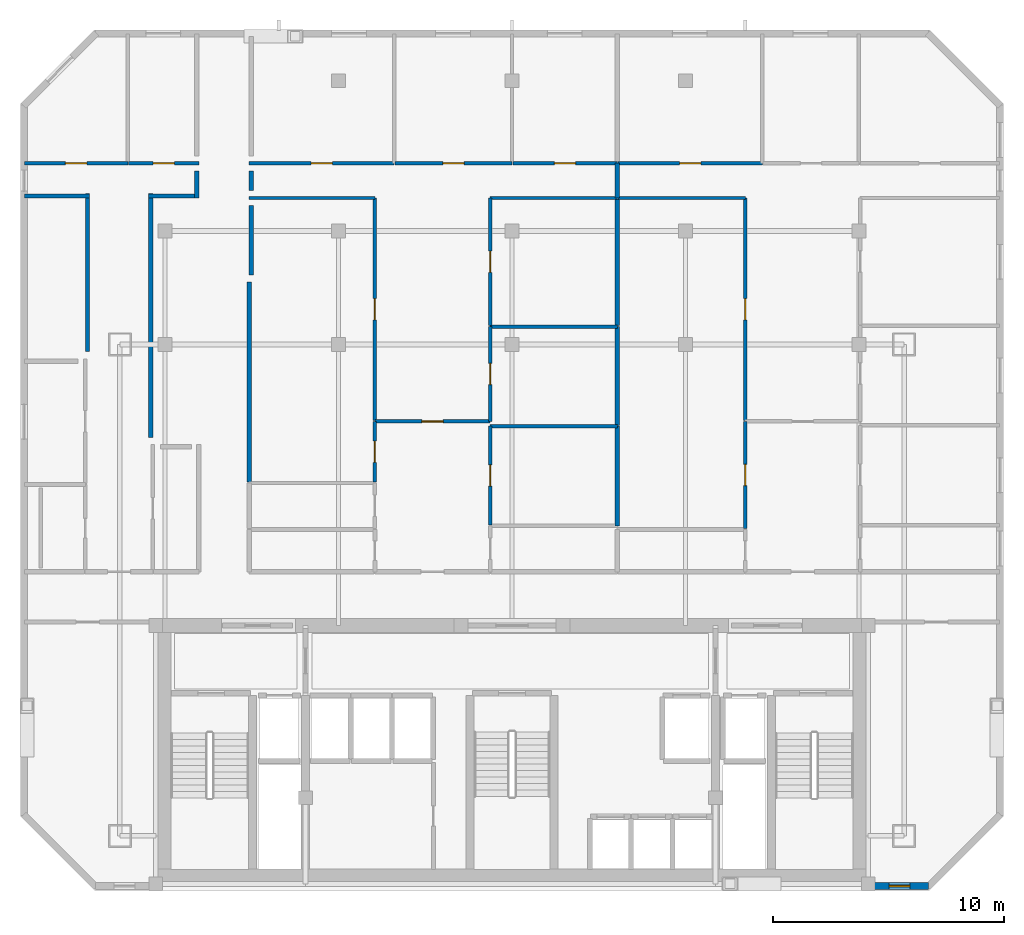
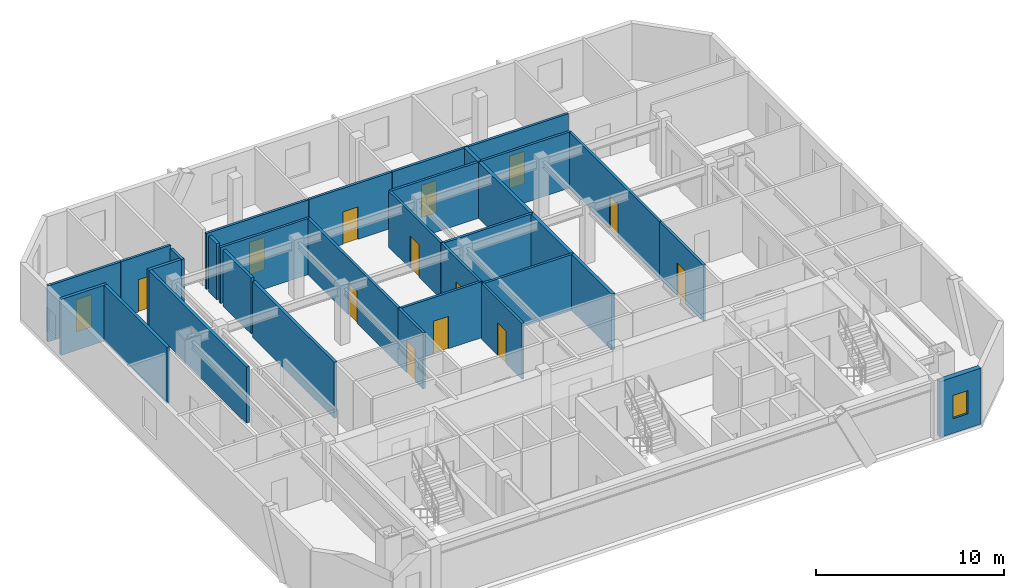
# One storey, part 4 of 7: 32 walls, 14 doors, 1 window, 15 openings.
"""IFC4 building model written with IfcOpenShell, lengths in metres."""

from ifc_helpers import new_model, si_unit, direction, frame, frame_2d, origin, place, context, subcontext, project, spatial, rectangle, extrude, material, layer, layer_set, type_object, element, fill, save


model = new_model("IFC4")

# Units and contexts
model_context = context("Model", 3, precision=1e-05, world=origin(), true_north=direction((0.0, 1.0)))
body_context = subcontext(model_context, "Body", "Model", "MODEL_VIEW")
ifc_project = project(units=[si_unit("LENGTHUNIT", "METRE"), si_unit("AREAUNIT", "SQUARE_METRE"), si_unit("VOLUMEUNIT", "CUBIC_METRE"), si_unit("PLANEANGLEUNIT", "RADIAN"), si_unit("MASSUNIT", "GRAM", prefix="KILO")], contexts=[model_context])

# Site, building, storey
site_placement = place(None, origin())
site = spatial("IfcSite", under=ifc_project, at=site_placement, CompositionType="ELEMENT")
building_placement = place(site_placement, origin())
building = spatial("IfcBuilding", under=site, at=building_placement, Name="Ventersveld Concourse Tower", CompositionType="ELEMENT")
storey_placement = place(building_placement, frame((0.0, 0.0, 227.25)))
storey = spatial("IfcBuildingStorey", under=building, at=storey_placement, Name="L56", CompositionType="ELEMENT", Elevation=227.25)

# Walls
ifc_material_1 = material(Name="Fire-rated autoclaved aerated masonry blockwork", Category="masonry")
ifc_layer_1 = layer(ifc_material_1, 0.179931640625)
ifc_layer_set_1 = layer_set([ifc_layer_1], Name="Fire-rated autoclaved aerated masonry blockwork")
wall_type_1 = type_object("IfcWallType", Name="WL-CORR-180", PredefinedType="PARTITIONING", material=ifc_layer_set_1)
wall_1_placement = place(storey_placement, frame((17.389892578125, 17.642822265625, 0.0), z_axis=(0.0, 0.0, 1.0), x_axis=(0.0, 1.0, 0.0)))
element("IfcWall", 1, at=wall_1_placement, inside=storey, type_object=wall_type_1, Name="L56 Interior Partition SP-L56-COR-SP-L56-56N1-DENL", PredefinedType="PARTITIONING", context=body_context, shape_type="SweptSolid", body=[
    extrude(rectangle(XDim=8.652099609375, YDim=0.179931640625, at=frame_2d((4.326171875, 0.0))), origin(), (0.0, 0.0, 1.0), 3.6298828125),
])
wall_2_placement = place(storey_placement, frame((10.393798828125, 23.283935546875, 0.0), z_axis=(0.0, 0.0, 1.0), x_axis=(0.0, 1.0, 0.0)))
element("IfcWall", 2, at=wall_2_placement, inside=storey, type_object=wall_type_1, Name="L56 Room Enclosure Wall SP-L56-56NW-LIV", PredefinedType="PARTITIONING", context=body_context, shape_type="SweptSolid", body=[
    extrude(rectangle(XDim=6.8310546875, YDim=0.179931640625, at=frame_2d((3.41552734375, 0.0))), origin(), (0.0, 0.0, 1.0), 3.6298828125),
])
wall_3_placement = place(storey_placement, frame((10.48876953125, 30.02001953125, 0.0), z_axis=(0.0, 0.0, 1.0), x_axis=(-1.0, 0.0, 0.0)))
element("IfcWall", 3, at=wall_3_placement, inside=storey, type_object=wall_type_1, Name="L56 Room Enclosure Wall SP-L56-56NW-LIV", PredefinedType="PARTITIONING", context=body_context, shape_type="SweptSolid", body=[
    extrude(rectangle(XDim=2.816162109375, YDim=0.179931640625, at=frame_2d((1.408203125, 0.0))), origin(), (0.0, 0.0, 1.0), 3.6298828125),
])
wall_4_placement = place(storey_placement, frame((15.1201171875, 31.10498046875, 0.0), z_axis=(0.0, 0.0, 1.0), x_axis=(0.0, -1.0, 0.0)))
element("IfcWall", 4, at=wall_4_placement, inside=storey, type_object=wall_type_1, Name="L56 Room Enclosure Wall SP-L56-56NW-LIV", PredefinedType="PARTITIONING", context=body_context, shape_type="SweptSolid", body=[
    extrude(rectangle(XDim=1.179931640625, YDim=0.179931640625, at=frame_2d((0.58984375, 0.0))), origin(), (0.0, 0.0, 1.0), 3.6298828125),
])
wall_5_placement = place(storey_placement, frame((15.215087890625, 30.02001953125, 0.0), z_axis=(0.0, 0.0, 1.0), x_axis=(-1.0, 0.0, 0.0)))
element("IfcWall", 5, at=wall_5_placement, inside=storey, type_object=wall_type_1, Name="L56 Room Enclosure Wall SP-L56-56NW-LIV", PredefinedType="PARTITIONING", context=body_context, shape_type="SweptSolid", body=[
    extrude(rectangle(XDim=2.17578125, YDim=0.179931640625, at=frame_2d((1.087890625, 0.0))), origin(), (0.0, 0.0, 1.0), 3.6298828125),
])
wall_6_placement = place(storey_placement, frame((13.13427734375, 30.114990234375, 0.0), z_axis=(0.0, 0.0, 1.0), x_axis=(0.0, -1.0, 0.0)))
element("IfcWall", 6, at=wall_6_placement, inside=storey, type_object=wall_type_1, Name="L56 Room Enclosure Wall SP-L56-56NW-LIV", PredefinedType="PARTITIONING", context=body_context, shape_type="SweptSolid", body=[
    extrude(rectangle(XDim=10.52880859375, YDim=0.179931640625, at=frame_2d((5.264404296875, 0.0))), origin(), (0.0, 0.0, 1.0), 3.6298828125),
])
wall_7_placement = place(storey_placement, frame((17.47998046875, 30.2548828125, 0.0), z_axis=(0.0, 0.0, 1.0), x_axis=(0.0, 1.0, 0.0)))
element("IfcWall", 7, at=wall_7_placement, inside=storey, type_object=wall_type_1, Name="L56 Room Enclosure Wall SP-L56-56N1-LIV", PredefinedType="PARTITIONING", context=body_context, shape_type="SweptSolid", body=[
    extrude(rectangle(XDim=0.85009765625, YDim=0.179931640625, at=frame_2d((0.425048828125, 0.0))), origin(), (0.0, 0.0, 1.0), 3.6298828125),
])
wall_8_placement = place(storey_placement, frame((17.47998046875, 26.60986328125, 0.0), z_axis=(0.0, 0.0, 1.0), x_axis=(0.0, 1.0, 0.0)))
element("IfcWall", 8, at=wall_8_placement, inside=storey, type_object=wall_type_1, Name="L56 Room Enclosure Wall SP-L56-56N1-DENL", PredefinedType="PARTITIONING", context=body_context, shape_type="SweptSolid", body=[
    extrude(rectangle(XDim=2.9951171875, YDim=0.179931640625, at=frame_2d((1.49755859375, 0.0))), origin(), (0.0, 0.0, 1.0), 3.6298828125),
])
ifc_layer_2 = layer(ifc_material_1, 0.199951171875)
ifc_layer_set_2 = layer_set([ifc_layer_2], Name="Fire-rated autoclaved aerated masonry blockwork")
wall_type_2 = type_object("IfcWallType", Name="WL-DEMISE-200", PredefinedType="PARTITIONING", material=ifc_layer_set_2)
wall_9_placement = place(storey_placement, frame((33.300048828125, 29.925048828125, 0.0), z_axis=(0.0, 0.0, 1.0), x_axis=(0.0, 1.0, 0.0)))
element("IfcWall", 9, at=wall_9_placement, inside=storey, type_object=wall_type_2, Name="L56 Interior Partition SP-L56-56N1-LIV-SP-L56-56N2-LIV", PredefinedType="PARTITIONING", context=body_context, shape_type="SweptSolid", body=[
    extrude(rectangle(XDim=1.510009765625, YDim=0.199951171875, at=frame_2d((0.7548828125, 0.0))), origin(), (0.0, 0.0, 1.0), 3.6298828125),
])
wall_10_placement = place(storey_placement, frame((33.300048828125, 15.750244140625, 0.0), z_axis=(0.0, 0.0, 1.0), x_axis=(0.0, 1.0, 0.0)))
element("IfcWall", 10, at=wall_10_placement, inside=storey, type_object=wall_type_2, Name="L56 Interior Partition SP-L56-56N1-DENR-SP-L56-56N2-DENL", PredefinedType="PARTITIONING", context=body_context, shape_type="SweptSolid", body=[
    extrude(rectangle(XDim=4.319091796875, YDim=0.199951171875, at=frame_2d((2.15966796875, 0.0))), origin(), (0.0, 0.0, 1.0), 3.6298828125),
])
wall_11_placement = place(storey_placement, frame((33.300048828125, 20.099365234375, 0.0), z_axis=(0.0, 0.0, 1.0), x_axis=(0.0, 1.0, 0.0)))
element("IfcWall", 11, at=wall_11_placement, inside=storey, type_object=wall_type_2, Name="L56 Interior Partition SP-L56-56N1-DENS-SP-L56-56N2-DENL", PredefinedType="PARTITIONING", context=body_context, shape_type="SweptSolid", body=[
    extrude(rectangle(XDim=4.279052734375, YDim=0.199951171875, at=frame_2d((2.1396484375, 0.0))), origin(), (0.0, 0.0, 1.0), 3.6298828125),
])
wall_12_placement = place(storey_placement, frame((33.300048828125, 24.408203125, 0.0), z_axis=(0.0, 0.0, 1.0), x_axis=(0.0, 1.0, 0.0)))
element("IfcWall", 12, at=wall_12_placement, inside=storey, type_object=wall_type_2, Name="L56 Interior Partition SP-L56-56N1-DENS2-SP-L56-56N2-DENL", PredefinedType="PARTITIONING", context=body_context, shape_type="SweptSolid", body=[
    extrude(rectangle(XDim=5.48681640625, YDim=0.199951171875, at=frame_2d((2.743408203125, 0.0))), origin(), (0.0, 0.0, 1.0), 3.6298828125),
])

# Wall, opening, door
ifc_material_2 = material(Name="Autoclaved aerated masonry blockwork", Category="masonry")
ifc_layer_3 = layer(ifc_material_2, 0.14990234375)
ifc_layer_set_3 = layer_set([ifc_layer_3], Name="Autoclaved aerated masonry blockwork")
wall_type_3 = type_object("IfcWallType", Name="WL-INT-150", PredefinedType="PARTITIONING", material=ifc_layer_set_3)
wall_13_placement = place(storey_placement, frame((7.672607421875, 31.429931640625, 0.0), z_axis=(0.0, 0.0, 1.0), x_axis=(1.0, 0.0, 0.0)))
wall_13 = element("IfcWall", 13, at=wall_13_placement, inside=storey, type_object=wall_type_3, Name="L56 Interior Partition SP-L56-56NW-LIV-SP-L56-56NW-BR1", PredefinedType="PARTITIONING", context=body_context, shape_type="SweptSolid", body=[
    extrude(rectangle(XDim=4.46826171875, YDim=0.14990234375, at=frame_2d((2.234130859375, 0.0))), origin(), (0.0, 0.0, 1.0), 3.6298828125),
])
opening_1_placement = place(wall_13_placement, frame((1.774169921875, 0.0, 0.0)))
opening_1 = element("IfcOpeningElement", 14, at=opening_1_placement, cuts=wall_13, Name="Opening ID1", PredefinedType="OPENING", context=body_context, shape_type="SweptSolid", body=[
    extrude(rectangle(XDim=0.919921875, YDim=2.10009765625, at=frame_2d((0.4599609375, 1.050048828125))), frame((0.0, 0.0849609375, 0.0), z_axis=(0.0, -1.0, 0.0), x_axis=(1.0, 0.0, 0.0)), (0.0, 0.0, 1.0), 0.169921875),
])
ifc_material_3 = material(Name="Solid-core hardwood veneer timber", Category="wood")
door_type = type_object("IfcDoorType", Name="DR-ROOM-092", OperationType="NOTDEFINED", PredefinedType="DOOR", material=ifc_material_3)
door_1_placement = place(opening_1_placement, origin())
door_1 = element("IfcDoor", 15, at=door_1_placement, inside=storey, type_object=door_type, Name="L56 Interior Door SP-L56-56NW-LIV to SP-L56-56NW-BR1 (D-L56-2711)", OperationType="SINGLE_SWING_LEFT", OverallHeight=2.10009765625, OverallWidth=0.919921875, PredefinedType="DOOR", context=body_context, shape_type="SweptSolid", body=[
    extrude(rectangle(XDim=0.919921875, YDim=2.10009765625, at=frame_2d((0.4599609375, 1.050048828125))), frame((0.0, 0.02490234375, 0.0), z_axis=(0.0, -1.0, 0.0), x_axis=(1.0, 0.0, 0.0)), (0.0, 0.0, 1.0), 0.050048828125),
])
fill(opening_1, door_1)

wall_14_placement = place(storey_placement, frame((12.1708984375, 31.429931640625, 0.0), z_axis=(0.0, 0.0, 1.0), x_axis=(1.0, 0.0, 0.0)))
wall_14 = element("IfcWall", 16, at=wall_14_placement, inside=storey, type_object=wall_type_3, Name="L56 Interior Partition SP-L56-56NW-LIV-SP-L56-56NW-BR2", PredefinedType="PARTITIONING", context=body_context, shape_type="SweptSolid", body=[
    extrude(rectangle(XDim=3.044189453125, YDim=0.14990234375, at=frame_2d((1.52197265625, 0.0))), origin(), (0.0, 0.0, 1.0), 3.6298828125),
])
opening_2_placement = place(wall_14_placement, frame((1.06201171875, 0.0, 0.0)))
opening_2 = element("IfcOpeningElement", 17, at=opening_2_placement, cuts=wall_14, Name="Opening ID1", PredefinedType="OPENING", context=body_context, shape_type="SweptSolid", body=[
    extrude(rectangle(XDim=0.919921875, YDim=2.10009765625, at=frame_2d((0.4599609375, 1.050048828125))), frame((0.0, 0.0849609375, 0.0), z_axis=(0.0, -1.0, 0.0), x_axis=(1.0, 0.0, 0.0)), (0.0, 0.0, 1.0), 0.169921875),
])
door_2_placement = place(opening_2_placement, origin())
door_2 = element("IfcDoor", 18, at=door_2_placement, inside=storey, type_object=door_type, Name="L56 Interior Door SP-L56-56NW-LIV to SP-L56-56NW-BR2 (D-L56-2712)", OperationType="SINGLE_SWING_RIGHT", OverallHeight=2.10009765625, OverallWidth=0.919921875, PredefinedType="DOOR", context=body_context, shape_type="SweptSolid", body=[
    extrude(rectangle(XDim=0.919921875, YDim=2.10009765625, at=frame_2d((0.4599609375, 1.050048828125))), frame((0.0, 0.02490234375, 0.0), z_axis=(0.0, -1.0, 0.0), x_axis=(1.0, 0.0, 0.0)), (0.0, 0.0, 1.0), 0.050048828125),
])
fill(opening_2, door_2)

wall_15_placement = place(storey_placement, frame((22.8173828125, 20.26904296875, 0.0), z_axis=(0.0, 0.0, 1.0), x_axis=(1.0, 0.0, 0.0)))
wall_15 = element("IfcWall", 19, at=wall_15_placement, inside=storey, type_object=wall_type_3, Name="L56 Interior Partition SP-L56-56N1-FOY-SP-L56-56N1-LIV", PredefinedType="PARTITIONING", context=body_context, shape_type="SweptSolid", body=[
    extrude(rectangle(XDim=4.989990234375, YDim=0.14990234375, at=frame_2d((2.4951171875, 0.0))), origin(), (0.0, 0.0, 1.0), 3.6298828125),
])
opening_3_placement = place(wall_15_placement, frame((2.034912109375, 0.0, 0.0)))
opening_3 = element("IfcOpeningElement", 20, at=opening_3_placement, cuts=wall_15, Name="Opening ID1", PredefinedType="OPENING", context=body_context, shape_type="SweptSolid", body=[
    extrude(rectangle(XDim=0.919921875, YDim=2.10009765625, at=frame_2d((0.4599609375, 1.050048828125))), frame((0.0, 0.0849609375, 0.0), z_axis=(0.0, -1.0, 0.0), x_axis=(1.0, 0.0, 0.0)), (0.0, 0.0, 1.0), 0.169921875),
])
door_3_placement = place(opening_3_placement, origin())
door_3 = element("IfcDoor", 21, at=door_3_placement, inside=storey, type_object=door_type, Name="L56 Interior Door SP-L56-56N1-FOY to SP-L56-56N1-LIV (D-L56-2713)", OperationType="SINGLE_SWING_LEFT", OverallHeight=2.10009765625, OverallWidth=0.919921875, PredefinedType="DOOR", context=body_context, shape_type="SweptSolid", body=[
    extrude(rectangle(XDim=0.919921875, YDim=2.10009765625, at=frame_2d((0.4599609375, 1.050048828125))), frame((0.0, 0.02490234375, 0.0), z_axis=(0.0, -1.0, 0.0), x_axis=(1.0, 0.0, 0.0)), (0.0, 0.0, 1.0), 0.050048828125),
])
fill(opening_3, door_3)

wall_16_placement = place(storey_placement, frame((22.822265625, 17.642822265625, 0.0), z_axis=(0.0, 0.0, 1.0), x_axis=(0.0, 1.0, 0.0)))
wall_16 = element("IfcWall", 22, at=wall_16_placement, inside=storey, type_object=wall_type_3, Name="L56 Interior Partition SP-L56-56N1-FOY-SP-L56-56N1-DENL", PredefinedType="PARTITIONING", context=body_context, shape_type="SweptSolid", body=[
    extrude(rectangle(XDim=2.63134765625, YDim=0.14990234375, at=frame_2d((1.315673828125, 0.0))), origin(), (0.0, 0.0, 1.0), 3.6298828125),
])
opening_4_placement = place(wall_16_placement, frame((0.855712890625, 0.0, 0.0)))
opening_4 = element("IfcOpeningElement", 23, at=opening_4_placement, cuts=wall_16, Name="Opening ID1", PredefinedType="OPENING", context=body_context, shape_type="SweptSolid", body=[
    extrude(rectangle(XDim=0.919921875, YDim=2.10009765625, at=frame_2d((0.4599609375, 1.050048828125))), frame((0.0, 0.0849609375, 0.0), z_axis=(0.0, -1.0, 0.0), x_axis=(1.0, 0.0, 0.0)), (0.0, 0.0, 1.0), 0.169921875),
])
door_4_placement = place(opening_4_placement, origin())
door_4 = element("IfcDoor", 24, at=door_4_placement, inside=storey, type_object=door_type, Name="L56 Interior Door SP-L56-56N1-FOY to SP-L56-56N1-DENL (D-L56-2716)", OperationType="SINGLE_SWING_RIGHT", OverallHeight=2.10009765625, OverallWidth=0.919921875, PredefinedType="DOOR", context=body_context, shape_type="SweptSolid", body=[
    extrude(rectangle(XDim=0.919921875, YDim=2.10009765625, at=frame_2d((0.4599609375, 1.050048828125))), frame((0.0, 0.02490234375, 0.0), z_axis=(0.0, -1.0, 0.0), x_axis=(1.0, 0.0, 0.0)), (0.0, 0.0, 1.0), 0.050048828125),
])
fill(opening_4, door_4)

wall_17_placement = place(storey_placement, frame((27.80224609375, 15.790283203125, 0.0), z_axis=(0.0, 0.0, 1.0), x_axis=(0.0, 1.0, 0.0)))
wall_17 = element("IfcWall", 25, at=wall_17_placement, inside=storey, type_object=wall_type_3, Name="L56 Interior Partition SP-L56-56N1-FOY-SP-L56-56N1-DENR", PredefinedType="PARTITIONING", context=body_context, shape_type="SweptSolid", body=[
    extrude(rectangle(XDim=4.279052734375, YDim=0.14990234375, at=frame_2d((2.1396484375, 0.0))), origin(), (0.0, 0.0, 1.0), 3.6298828125),
])
opening_5_placement = place(wall_17_placement, frame((1.679443359375, 0.0, 0.0)))
opening_5 = element("IfcOpeningElement", 26, at=opening_5_placement, cuts=wall_17, Name="Opening ID1", PredefinedType="OPENING", context=body_context, shape_type="SweptSolid", body=[
    extrude(rectangle(XDim=0.919921875, YDim=2.10009765625, at=frame_2d((0.4599609375, 1.050048828125))), frame((0.0, 0.0849609375, 0.0), z_axis=(0.0, -1.0, 0.0), x_axis=(1.0, 0.0, 0.0)), (0.0, 0.0, 1.0), 0.169921875),
])
door_5_placement = place(opening_5_placement, origin())
door_5 = element("IfcDoor", 27, at=door_5_placement, inside=storey, type_object=door_type, Name="L56 Interior Door SP-L56-56N1-FOY to SP-L56-56N1-DENR (D-L56-2718)", OperationType="SINGLE_SWING_RIGHT", OverallHeight=2.10009765625, OverallWidth=0.919921875, PredefinedType="DOOR", context=body_context, shape_type="SweptSolid", body=[
    extrude(rectangle(XDim=0.919921875, YDim=2.10009765625, at=frame_2d((0.4599609375, 1.050048828125))), frame((0.0, 0.02490234375, 0.0), z_axis=(0.0, -1.0, 0.0), x_axis=(1.0, 0.0, 0.0)), (0.0, 0.0, 1.0), 0.050048828125),
])
fill(opening_5, door_5)

wall_18_placement = place(storey_placement, frame((22.822265625, 20.30419921875, 0.0), z_axis=(0.0, 0.0, 1.0), x_axis=(0.0, 1.0, 0.0)))
wall_18 = element("IfcWall", 28, at=wall_18_placement, inside=storey, type_object=wall_type_3, Name="L56 Interior Partition SP-L56-56N1-LIV-SP-L56-56N1-DENL", PredefinedType="PARTITIONING", context=body_context, shape_type="SweptSolid", body=[
    extrude(rectangle(XDim=9.630859375, YDim=0.14990234375, at=frame_2d((4.8154296875, 0.0))), origin(), (0.0, 0.0, 1.0), 3.6298828125),
])
opening_6_placement = place(wall_18_placement, frame((4.35546875, 0.0, 0.0)))
opening_6 = element("IfcOpeningElement", 29, at=opening_6_placement, cuts=wall_18, Name="Opening ID1", PredefinedType="OPENING", context=body_context, shape_type="SweptSolid", body=[
    extrude(rectangle(XDim=0.919921875, YDim=2.10009765625, at=frame_2d((0.4599609375, 1.050048828125))), frame((0.0, 0.0849609375, 0.0), z_axis=(0.0, -1.0, 0.0), x_axis=(1.0, 0.0, 0.0)), (0.0, 0.0, 1.0), 0.169921875),
])
door_6_placement = place(opening_6_placement, origin())
door_6 = element("IfcDoor", 30, at=door_6_placement, inside=storey, type_object=door_type, Name="L56 Interior Door SP-L56-56N1-LIV to SP-L56-56N1-DENL (D-L56-2719)", OperationType="SINGLE_SWING_LEFT", OverallHeight=2.10009765625, OverallWidth=0.919921875, PredefinedType="DOOR", context=body_context, shape_type="SweptSolid", body=[
    extrude(rectangle(XDim=0.919921875, YDim=2.10009765625, at=frame_2d((0.4599609375, 1.050048828125))), frame((0.0, 0.02490234375, 0.0), z_axis=(0.0, -1.0, 0.0), x_axis=(1.0, 0.0, 0.0)), (0.0, 0.0, 1.0), 0.050048828125),
])
fill(opening_6, door_6)

# Wall
wall_19_placement = place(storey_placement, frame((17.385009765625, 29.929931640625, 0.0), z_axis=(0.0, 0.0, 1.0), x_axis=(1.0, 0.0, 0.0)))
element("IfcWall", 31, at=wall_19_placement, inside=storey, type_object=wall_type_3, Name="L56 Interior Partition SP-L56-56N1-LIV-SP-L56-56N1-DENL", PredefinedType="PARTITIONING", context=body_context, shape_type="SweptSolid", body=[
    extrude(rectangle(XDim=5.4423828125, YDim=0.14990234375, at=frame_2d((2.72119140625, 0.0))), origin(), (0.0, 0.0, 1.0), 3.6298828125),
])

# Wall, opening, door
wall_20_placement = place(storey_placement, frame((27.80224609375, 20.26416015625, 0.0), z_axis=(0.0, 0.0, 1.0), x_axis=(0.0, 1.0, 0.0)))
wall_20 = element("IfcWall", 32, at=wall_20_placement, inside=storey, type_object=wall_type_3, Name="L56 Interior Partition SP-L56-56N1-LIV-SP-L56-56N1-DENS", PredefinedType="PARTITIONING", context=body_context, shape_type="SweptSolid", body=[
    extrude(rectangle(XDim=4.1142578125, YDim=0.14990234375, at=frame_2d((2.05712890625, 0.0))), origin(), (0.0, 0.0, 1.0), 3.6298828125),
])
opening_7_placement = place(wall_20_placement, frame((1.59716796875, 0.0, 0.0)))
opening_7 = element("IfcOpeningElement", 33, at=opening_7_placement, cuts=wall_20, Name="Opening ID1", PredefinedType="OPENING", context=body_context, shape_type="SweptSolid", body=[
    extrude(rectangle(XDim=0.919921875, YDim=2.10009765625, at=frame_2d((0.4599609375, 1.050048828125))), frame((0.0, 0.0849609375, 0.0), z_axis=(0.0, -1.0, 0.0), x_axis=(1.0, 0.0, 0.0)), (0.0, 0.0, 1.0), 0.169921875),
])
door_7_placement = place(opening_7_placement, origin())
door_7 = element("IfcDoor", 34, at=door_7_placement, inside=storey, type_object=door_type, Name="L56 Interior Door SP-L56-56N1-LIV to SP-L56-56N1-DENS (D-L56-2720)", OperationType="SINGLE_SWING_RIGHT", OverallHeight=2.10009765625, OverallWidth=0.919921875, PredefinedType="DOOR", context=body_context, shape_type="SweptSolid", body=[
    extrude(rectangle(XDim=0.919921875, YDim=2.10009765625, at=frame_2d((0.4599609375, 1.050048828125))), frame((0.0, 0.02490234375, 0.0), z_axis=(0.0, -1.0, 0.0), x_axis=(1.0, 0.0, 0.0)), (0.0, 0.0, 1.0), 0.050048828125),
])
fill(opening_7, door_7)

wall_21_placement = place(storey_placement, frame((27.80224609375, 24.408203125, 0.0), z_axis=(0.0, 0.0, 1.0), x_axis=(0.0, 1.0, 0.0)))
wall_21 = element("IfcWall", 35, at=wall_21_placement, inside=storey, type_object=wall_type_3, Name="L56 Interior Partition SP-L56-56N1-LIV-SP-L56-56N1-DENS2", PredefinedType="PARTITIONING", context=body_context, shape_type="SweptSolid", body=[
    extrude(rectangle(XDim=5.52685546875, YDim=0.14990234375, at=frame_2d((2.763427734375, 0.0))), origin(), (0.0, 0.0, 1.0), 3.6298828125),
])
opening_8_placement = place(wall_21_placement, frame((2.30322265625, 0.0, 0.0)))
opening_8 = element("IfcOpeningElement", 36, at=opening_8_placement, cuts=wall_21, Name="Opening ID1", PredefinedType="OPENING", context=body_context, shape_type="SweptSolid", body=[
    extrude(rectangle(XDim=0.919921875, YDim=2.10009765625, at=frame_2d((0.4599609375, 1.050048828125))), frame((0.0, 0.0849609375, 0.0), z_axis=(0.0, -1.0, 0.0), x_axis=(1.0, 0.0, 0.0)), (0.0, 0.0, 1.0), 0.169921875),
])
door_8_placement = place(opening_8_placement, origin())
door_8 = element("IfcDoor", 37, at=door_8_placement, inside=storey, type_object=door_type, Name="L56 Interior Door SP-L56-56N1-LIV to SP-L56-56N1-DENS2 (D-L56-2721)", OperationType="SINGLE_SWING_LEFT", OverallHeight=2.10009765625, OverallWidth=0.919921875, PredefinedType="DOOR", context=body_context, shape_type="SweptSolid", body=[
    extrude(rectangle(XDim=0.919921875, YDim=2.10009765625, at=frame_2d((0.4599609375, 1.050048828125))), frame((0.0, 0.02490234375, 0.0), z_axis=(0.0, -1.0, 0.0), x_axis=(1.0, 0.0, 0.0)), (0.0, 0.0, 1.0), 0.050048828125),
])
fill(opening_8, door_8)

# Wall
wall_22_placement = place(storey_placement, frame((27.79736328125, 29.929931640625, 0.0), z_axis=(0.0, 0.0, 1.0), x_axis=(1.0, 0.0, 0.0)))
element("IfcWall", 38, at=wall_22_placement, inside=storey, type_object=wall_type_3, Name="L56 Interior Partition SP-L56-56N1-LIV-SP-L56-56N1-DENS2", PredefinedType="PARTITIONING", context=body_context, shape_type="SweptSolid", body=[
    extrude(rectangle(XDim=5.507568359375, YDim=0.14990234375, at=frame_2d((2.75390625, 0.0))), origin(), (0.0, 0.0, 1.0), 3.6298828125),
])

# Wall, opening, door
wall_23_placement = place(storey_placement, frame((17.385009765625, 31.429931640625, 0.0), z_axis=(0.0, 0.0, 1.0), x_axis=(1.0, 0.0, 0.0)))
wall_23 = element("IfcWall", 39, at=wall_23_placement, inside=storey, type_object=wall_type_3, Name="L56 Interior Partition SP-L56-56N1-LIV-SP-L56-56N1-BR1", PredefinedType="PARTITIONING", context=body_context, shape_type="SweptSolid", body=[
    extrude(rectangle(XDim=6.27392578125, YDim=0.14990234375, at=frame_2d((3.136962890625, 0.0))), origin(), (0.0, 0.0, 1.0), 3.6298828125),
])
opening_9_placement = place(wall_23_placement, frame((2.677001953125, 0.0, 0.0)))
opening_9 = element("IfcOpeningElement", 40, at=opening_9_placement, cuts=wall_23, Name="Opening ID1", PredefinedType="OPENING", context=body_context, shape_type="SweptSolid", body=[
    extrude(rectangle(XDim=0.919921875, YDim=2.10009765625, at=frame_2d((0.4599609375, 1.050048828125))), frame((0.0, 0.0849609375, 0.0), z_axis=(0.0, -1.0, 0.0), x_axis=(1.0, 0.0, 0.0)), (0.0, 0.0, 1.0), 0.169921875),
])
door_9_placement = place(opening_9_placement, origin())
door_9 = element("IfcDoor", 41, at=door_9_placement, inside=storey, type_object=door_type, Name="L56 Interior Door SP-L56-56N1-LIV to SP-L56-56N1-BR1 (D-L56-2722)", OperationType="SINGLE_SWING_RIGHT", OverallHeight=2.10009765625, OverallWidth=0.919921875, PredefinedType="DOOR", context=body_context, shape_type="SweptSolid", body=[
    extrude(rectangle(XDim=0.919921875, YDim=2.10009765625, at=frame_2d((0.4599609375, 1.050048828125))), frame((0.0, 0.02490234375, 0.0), z_axis=(0.0, -1.0, 0.0), x_axis=(1.0, 0.0, 0.0)), (0.0, 0.0, 1.0), 0.050048828125),
])
fill(opening_9, door_9)

wall_24_placement = place(storey_placement, frame((23.68896484375, 31.429931640625, 0.0), z_axis=(0.0, 0.0, 1.0), x_axis=(1.0, 0.0, 0.0)))
wall_24 = element("IfcWall", 42, at=wall_24_placement, inside=storey, type_object=wall_type_3, Name="L56 Interior Partition SP-L56-56N1-LIV-SP-L56-56N1-BR2", PredefinedType="PARTITIONING", context=body_context, shape_type="SweptSolid", body=[
    extrude(rectangle(XDim=5.06591796875, YDim=0.14990234375, at=frame_2d((2.532958984375, 0.0))), origin(), (0.0, 0.0, 1.0), 3.6298828125),
])
opening_10_placement = place(wall_24_placement, frame((2.072998046875, 0.0, 0.0)))
opening_10 = element("IfcOpeningElement", 43, at=opening_10_placement, cuts=wall_24, Name="Opening ID1", PredefinedType="OPENING", context=body_context, shape_type="SweptSolid", body=[
    extrude(rectangle(XDim=0.919921875, YDim=2.10009765625, at=frame_2d((0.4599609375, 1.050048828125))), frame((0.0, 0.0849609375, 0.0), z_axis=(0.0, -1.0, 0.0), x_axis=(1.0, 0.0, 0.0)), (0.0, 0.0, 1.0), 0.169921875),
])
door_10_placement = place(opening_10_placement, origin())
door_10 = element("IfcDoor", 44, at=door_10_placement, inside=storey, type_object=door_type, Name="L56 Interior Door SP-L56-56N1-LIV to SP-L56-56N1-BR2 (D-L56-2723)", OperationType="SINGLE_SWING_LEFT", OverallHeight=2.10009765625, OverallWidth=0.919921875, PredefinedType="DOOR", context=body_context, shape_type="SweptSolid", body=[
    extrude(rectangle(XDim=0.919921875, YDim=2.10009765625, at=frame_2d((0.4599609375, 1.050048828125))), frame((0.0, 0.02490234375, 0.0), z_axis=(0.0, -1.0, 0.0), x_axis=(1.0, 0.0, 0.0)), (0.0, 0.0, 1.0), 0.050048828125),
])
fill(opening_10, door_10)

wall_25_placement = place(storey_placement, frame((28.784912109375, 31.429931640625, 0.0), z_axis=(0.0, 0.0, 1.0), x_axis=(1.0, 0.0, 0.0)))
wall_25 = element("IfcWall", 45, at=wall_25_placement, inside=storey, type_object=wall_type_3, Name="L56 Interior Partition SP-L56-56N1-LIV-SP-L56-56N1-BR3", PredefinedType="PARTITIONING", context=body_context, shape_type="SweptSolid", body=[
    extrude(rectangle(XDim=4.52001953125, YDim=0.14990234375, at=frame_2d((2.260009765625, 0.0))), origin(), (0.0, 0.0, 1.0), 3.6298828125),
])
opening_11_placement = place(wall_25_placement, frame((1.800048828125, 0.0, 0.0)))
opening_11 = element("IfcOpeningElement", 46, at=opening_11_placement, cuts=wall_25, Name="Opening ID1", PredefinedType="OPENING", context=body_context, shape_type="SweptSolid", body=[
    extrude(rectangle(XDim=0.919921875, YDim=2.10009765625, at=frame_2d((0.4599609375, 1.050048828125))), frame((0.0, 0.0849609375, 0.0), z_axis=(0.0, -1.0, 0.0), x_axis=(1.0, 0.0, 0.0)), (0.0, 0.0, 1.0), 0.169921875),
])
door_11_placement = place(opening_11_placement, origin())
door_11 = element("IfcDoor", 47, at=door_11_placement, inside=storey, type_object=door_type, Name="L56 Interior Door SP-L56-56N1-LIV to SP-L56-56N1-BR3 (D-L56-2724)", OperationType="SINGLE_SWING_RIGHT", OverallHeight=2.10009765625, OverallWidth=0.919921875, PredefinedType="DOOR", context=body_context, shape_type="SweptSolid", body=[
    extrude(rectangle(XDim=0.919921875, YDim=2.10009765625, at=frame_2d((0.4599609375, 1.050048828125))), frame((0.0, 0.02490234375, 0.0), z_axis=(0.0, -1.0, 0.0), x_axis=(1.0, 0.0, 0.0)), (0.0, 0.0, 1.0), 0.050048828125),
])
fill(opening_11, door_11)

# Walls
for number, where, z_axis, x_axis, name in (
    (48, (27.79736328125, 20.064208984375, 0.0), (0.0, 0.0, 1.0), (1.0, 0.0, 0.0), "L56 Interior Partition SP-L56-56N1-DENR-SP-L56-56N1-DENS"),
    (49, (27.79736328125, 24.373291015625, 0.0), (0.0, 0.0, 1.0), (1.0, 0.0, 0.0), "L56 Interior Partition SP-L56-56N1-DENS-SP-L56-56N1-DENS2"),
):
    element("IfcWall", number, at=place(storey_placement, frame(where, z_axis=z_axis, x_axis=x_axis)), inside=storey, type_object=wall_type_3, Name=name, PredefinedType="PARTITIONING", context=body_context, shape_type="SweptSolid", body=[
        extrude(rectangle(XDim=5.507568359375, YDim=0.14990234375, at=frame_2d((2.75390625, 0.0))), origin(), (0.0, 0.0, 1.0), 3.6298828125),
    ])

# Wall, opening, door
wall_26_placement = place(storey_placement, frame((38.830322265625, 15.635009765625, 0.0), z_axis=(0.0, 0.0, 1.0), x_axis=(0.0, 1.0, 0.0)))
wall_26 = element("IfcWall", 50, at=wall_26_placement, inside=storey, type_object=wall_type_3, Name="L56 Interior Partition SP-L56-56N2-FOY-SP-L56-56N2-DENL", PredefinedType="PARTITIONING", context=body_context, shape_type="SweptSolid", body=[
    extrude(rectangle(XDim=4.63916015625, YDim=0.14990234375, at=frame_2d((2.319580078125, 0.0))), origin(), (0.0, 0.0, 1.0), 3.6298828125),
])
opening_12_placement = place(wall_26_placement, frame((1.859619140625, 0.0, 0.0)))
opening_12 = element("IfcOpeningElement", 51, at=opening_12_placement, cuts=wall_26, Name="Opening ID1", PredefinedType="OPENING", context=body_context, shape_type="SweptSolid", body=[
    extrude(rectangle(XDim=0.919921875, YDim=2.10009765625, at=frame_2d((0.4599609375, 1.050048828125))), frame((0.0, 0.0849609375, 0.0), z_axis=(0.0, -1.0, 0.0), x_axis=(1.0, 0.0, 0.0)), (0.0, 0.0, 1.0), 0.169921875),
])
door_12_placement = place(opening_12_placement, origin())
door_12 = element("IfcDoor", 52, at=door_12_placement, inside=storey, type_object=door_type, Name="L56 Interior Door SP-L56-56N2-FOY to SP-L56-56N2-DENL (D-L56-2727)", OperationType="SINGLE_SWING_LEFT", OverallHeight=2.10009765625, OverallWidth=0.919921875, PredefinedType="DOOR", context=body_context, shape_type="SweptSolid", body=[
    extrude(rectangle(XDim=0.919921875, YDim=2.10009765625, at=frame_2d((0.4599609375, 1.050048828125))), frame((0.0, 0.02490234375, 0.0), z_axis=(0.0, -1.0, 0.0), x_axis=(1.0, 0.0, 0.0)), (0.0, 0.0, 1.0), 0.050048828125),
])
fill(opening_12, door_12)

wall_27_placement = place(storey_placement, frame((38.830322265625, 20.30419921875, 0.0), z_axis=(0.0, 0.0, 1.0), x_axis=(0.0, 1.0, 0.0)))
wall_27 = element("IfcWall", 53, at=wall_27_placement, inside=storey, type_object=wall_type_3, Name="L56 Interior Partition SP-L56-56N2-LIV-SP-L56-56N2-DENL", PredefinedType="PARTITIONING", context=body_context, shape_type="SweptSolid", body=[
    extrude(rectangle(XDim=9.630859375, YDim=0.14990234375, at=frame_2d((4.8154296875, 0.0))), origin(), (0.0, 0.0, 1.0), 3.6298828125),
])
opening_13_placement = place(wall_27_placement, frame((4.35546875, 0.0, 0.0)))
opening_13 = element("IfcOpeningElement", 54, at=opening_13_placement, cuts=wall_27, Name="Opening ID1", PredefinedType="OPENING", context=body_context, shape_type="SweptSolid", body=[
    extrude(rectangle(XDim=0.919921875, YDim=2.10009765625, at=frame_2d((0.4599609375, 1.050048828125))), frame((0.0, 0.0849609375, 0.0), z_axis=(0.0, -1.0, 0.0), x_axis=(1.0, 0.0, 0.0)), (0.0, 0.0, 1.0), 0.169921875),
])
door_13_placement = place(opening_13_placement, origin())
door_13 = element("IfcDoor", 55, at=door_13_placement, inside=storey, type_object=door_type, Name="L56 Interior Door SP-L56-56N2-LIV to SP-L56-56N2-DENL (D-L56-2730)", OperationType="SINGLE_SWING_RIGHT", OverallHeight=2.10009765625, OverallWidth=0.919921875, PredefinedType="DOOR", context=body_context, shape_type="SweptSolid", body=[
    extrude(rectangle(XDim=0.919921875, YDim=2.10009765625, at=frame_2d((0.4599609375, 1.050048828125))), frame((0.0, 0.02490234375, 0.0), z_axis=(0.0, -1.0, 0.0), x_axis=(1.0, 0.0, 0.0)), (0.0, 0.0, 1.0), 0.050048828125),
])
fill(opening_13, door_13)

# Wall
wall_28_placement = place(storey_placement, frame((33.3349609375, 29.929931640625, 0.0), z_axis=(0.0, 0.0, 1.0), x_axis=(1.0, 0.0, 0.0)))
element("IfcWall", 56, at=wall_28_placement, inside=storey, type_object=wall_type_3, Name="L56 Interior Partition SP-L56-56N2-LIV-SP-L56-56N2-DENL", PredefinedType="PARTITIONING", context=body_context, shape_type="SweptSolid", body=[
    extrude(rectangle(XDim=5.50048828125, YDim=0.14990234375, at=frame_2d((2.750244140625, 0.0))), origin(), (0.0, 0.0, 1.0), 3.6298828125),
])

# Wall, opening, door
wall_29_placement = place(storey_placement, frame((33.3349609375, 31.429931640625, 0.0), z_axis=(0.0, 0.0, 1.0), x_axis=(1.0, 0.0, 0.0)))
wall_29 = element("IfcWall", 57, at=wall_29_placement, inside=storey, type_object=wall_type_3, Name="L56 Interior Partition SP-L56-56N2-LIV-SP-L56-56N2-BR1", PredefinedType="PARTITIONING", context=body_context, shape_type="SweptSolid", body=[
    extrude(rectangle(XDim=6.234130859375, YDim=0.14990234375, at=frame_2d((3.1171875, 0.0))), origin(), (0.0, 0.0, 1.0), 3.6298828125),
])
opening_14_placement = place(wall_29_placement, frame((2.656982421875, 0.0, 0.0)))
opening_14 = element("IfcOpeningElement", 58, at=opening_14_placement, cuts=wall_29, Name="Opening ID1", PredefinedType="OPENING", context=body_context, shape_type="SweptSolid", body=[
    extrude(rectangle(XDim=0.919921875, YDim=2.10009765625, at=frame_2d((0.4599609375, 1.050048828125))), frame((0.0, 0.0849609375, 0.0), z_axis=(0.0, -1.0, 0.0), x_axis=(1.0, 0.0, 0.0)), (0.0, 0.0, 1.0), 0.169921875),
])
door_14_placement = place(opening_14_placement, origin())
door_14 = element("IfcDoor", 59, at=door_14_placement, inside=storey, type_object=door_type, Name="L56 Interior Door SP-L56-56N2-LIV to SP-L56-56N2-BR1 (D-L56-2733)", OperationType="SINGLE_SWING_LEFT", OverallHeight=2.10009765625, OverallWidth=0.919921875, PredefinedType="DOOR", context=body_context, shape_type="SweptSolid", body=[
    extrude(rectangle(XDim=0.919921875, YDim=2.10009765625, at=frame_2d((0.4599609375, 1.050048828125))), frame((0.0, 0.02490234375, 0.0), z_axis=(0.0, -1.0, 0.0), x_axis=(1.0, 0.0, 0.0)), (0.0, 0.0, 1.0), 0.050048828125),
])
fill(opening_14, door_14)

# Wall, opening, window
ifc_material_4 = material(Name="Precast concrete C45/55", Category="concrete")
ifc_layer_4 = layer(ifc_material_4, 0.300048828125)
ifc_layer_set_4 = layer_set([ifc_layer_4], Name="Precast concrete C45/55")
wall_type_4 = type_object("IfcWallType", Name="WL-PREC-300", PredefinedType="SOLIDWALL", material=ifc_layer_set_4)
wall_30_placement = place(storey_placement, frame((44.25, 0.179931640625, 0.0), z_axis=(0.0, 0.0, 1.0), x_axis=(1.0, 0.0, 0.0)))
wall_30 = element("IfcWall", 60, at=wall_30_placement, inside=storey, type_object=wall_type_4, Name="L56 South-East Flank Precast Wall", PredefinedType="SOLIDWALL", context=body_context, shape_type="SweptSolid", body=[
    extrude(rectangle(XDim=2.510009765625, YDim=0.300048828125, at=frame_2d((1.2548828125, 0.0))), origin(), (0.0, 0.0, 1.0), 3.6298828125),
])
opening_15_placement = place(wall_30_placement, frame((0.804931640625, 0.0, 0.949951171875)))
opening_15 = element("IfcOpeningElement", 61, at=opening_15_placement, cuts=wall_30, Name="Opening W4", PredefinedType="OPENING", context=body_context, shape_type="SweptSolid", body=[
    extrude(rectangle(XDim=0.89990234375, YDim=1.5, at=frame_2d((0.449951171875, 0.75))), frame((0.0, 0.16015625, 0.0), z_axis=(0.0, -1.0, 0.0), x_axis=(1.0, 0.0, 0.0)), (0.0, 0.0, 1.0), 0.320068359375),
])
ifc_material_5 = material(Name="Tempered acoustic Low-E IGU", Category="glass")
window_type = type_object("IfcWindowType", Name="WIN-090x150", PartitioningType="SINGLE_PANEL", PredefinedType="WINDOW", material=ifc_material_5)
window_placement = place(opening_15_placement, origin())
window = element("IfcWindow", 62, at=window_placement, inside=storey, type_object=window_type, Name="L56 Punched Low-E Window W-0797", OverallHeight=1.5, OverallWidth=0.89990234375, PartitioningType="SINGLE_PANEL", PredefinedType="WINDOW", context=body_context, shape_type="SweptSolid", body=[
    extrude(rectangle(XDim=0.89990234375, YDim=1.5, at=frame_2d((0.449951171875, 0.75))), frame((0.0, 0.030029296875, 0.0), z_axis=(0.0, -1.0, 0.0), x_axis=(1.0, 0.0, 0.0)), (0.0, 0.0, 1.0), 0.06005859375),
])
fill(opening_15, window)

save(model, "model.ifc")
